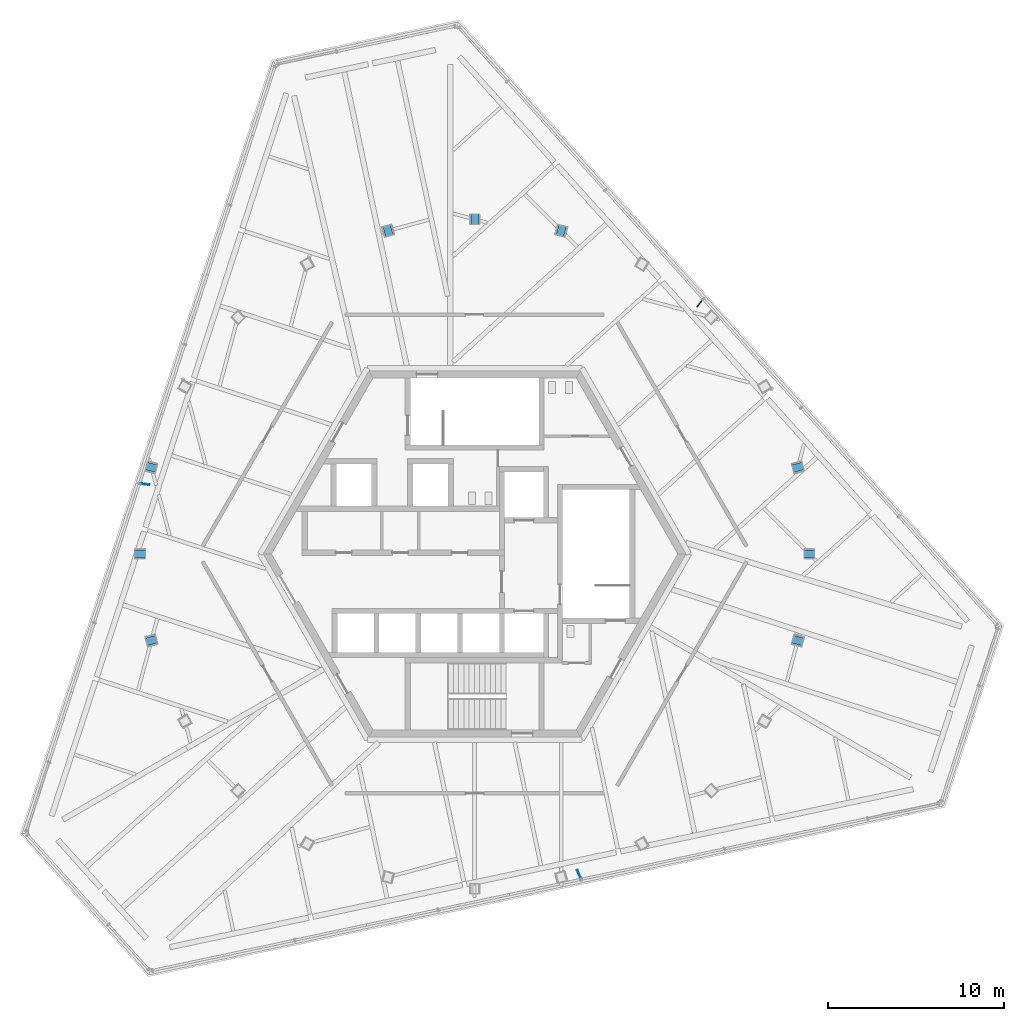
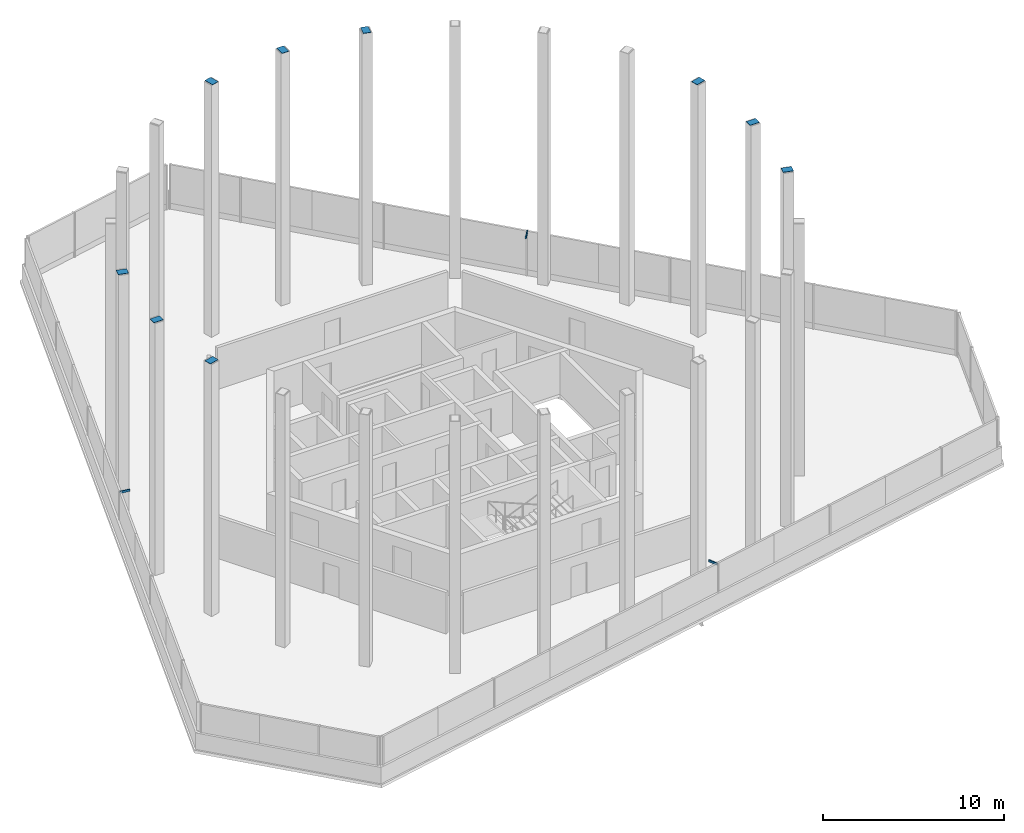
# One storey, part 9 of 11: 12 discrete accessories.
"""IFC4 building model written with IfcOpenShell, lengths in metres."""

import ifcopenshell
import ifcopenshell.guid

model = None  # the IFC model being written
_history = None  # IfcOwnerHistory: only IFC2X3 demands one
_inside = {}  # id of a spatial element -> (the spatial element, [elements in it])
_under = {}  # id of a project, library or spatial element -> (it, [spatial elements below it])
_declared = {}  # id of a project -> (the project, [libraries it declares])
_typed = {}  # id of a type object -> (the type object, [elements of that type])
_made_of = {}  # id of a material, layer set ... -> (it, [elements and type objects made of it])


def new_model(schema):
    """Start an empty IFC model of exactly this schema.

    Asked for "IFC4X3", IfcOpenShell would pick the latest addendum, in which some entities
    have other attributes; the version numbers below select the first issue.
    IFC2X3 requires an IfcOwnerHistory on every rooted entity: one is made here for all.
    """
    global model, _history
    if schema == "IFC4X3":
        model = ifcopenshell.file(schema_version=(4, 3, 0, 0))
    else:
        model = ifcopenshell.file(schema=schema)
    _inside.clear()
    _under.clear()
    _declared.clear()
    _typed.clear()
    _made_of.clear()
    _history = None
    if model.schema == "IFC2X3":
        org = make("IfcOrganization", Name="unknown")
        user = make(
            "IfcPersonAndOrganization",
            ThePerson=make("IfcPerson", FamilyName="unknown"),
            TheOrganization=org,
        )
        app = make(
            "IfcApplication",
            ApplicationDeveloper=org,
            Version="unknown",
            ApplicationFullName="unknown",
            ApplicationIdentifier="unknown",
        )
        _history = make(
            "IfcOwnerHistory",
            OwningUser=user,
            OwningApplication=app,
            ChangeAction="ADDED",
            CreationDate=0,
        )
    return model


def make(cls, **values):
    """One entity of the class cls with the attributes given. An attribute that is None is left unset."""
    return model.create_entity(
        cls, **{name: value for name, value in values.items() if value is not None}
    )


def rooted(cls, **values):
    """An entity with a GlobalId (a new one), such as an element, a storey or a relation."""
    return make(cls, GlobalId=ifcopenshell.guid.new(), OwnerHistory=_history, **values)


def si_unit(unit_type, name, prefix=None):
    """IfcSIUnit, for example si_unit("LENGTHUNIT", "METRE", prefix="MILLI")."""
    return make("IfcSIUnit", UnitType=unit_type, Prefix=prefix, Name=name)


def assignment(units):
    """IfcUnitAssignment: the units of a project."""
    return None if units is None else make("IfcUnitAssignment", Units=units)


def point(xyz):
    """IfcCartesianPoint."""
    return None if xyz is None else make("IfcCartesianPoint", Coordinates=xyz)


def direction(xyz):
    """IfcDirection."""
    return None if xyz is None else make("IfcDirection", DirectionRatios=xyz)


def frame(location, z_axis=None, x_axis=None):
    """IfcAxis2Placement3D, a coordinate frame: its origin and axes. An axis left out is left unset."""
    return make(
        "IfcAxis2Placement3D",
        Location=point(location),
        Axis=direction(z_axis),
        RefDirection=direction(x_axis),
    )


def frame_2d(location, x_axis=None):
    """IfcAxis2Placement2D, a coordinate frame in the plane: its origin and x axis."""
    return make(
        "IfcAxis2Placement2D", Location=point(location), RefDirection=direction(x_axis)
    )


def origin():
    """The frame at (0, 0, 0) with its axes left unset."""
    return frame((0.0, 0.0, 0.0))


def origin_2d():
    """The frame at (0, 0) in the plane with its x axis left unset."""
    return frame_2d((0.0, 0.0))


def place(relative_to, where):
    """IfcLocalPlacement: puts the frame where relative to a parent placement (None: the world)."""
    return make(
        "IfcLocalPlacement", PlacementRelTo=relative_to, RelativePlacement=where
    )


def context(
    kind, dimensions, precision=None, world=None, true_north=None, identifier=None
):
    """IfcGeometricRepresentationContext, for example the 3D "Model" context."""
    return make(
        "IfcGeometricRepresentationContext",
        ContextIdentifier=identifier,
        ContextType=kind,
        CoordinateSpaceDimension=dimensions,
        Precision=precision,
        WorldCoordinateSystem=world,
        TrueNorth=true_north,
    )


def subcontext(parent, identifier, kind, view, scale=None):
    """IfcGeometricRepresentationSubContext, for example "Body" below "Model"."""
    return make(
        "IfcGeometricRepresentationSubContext",
        ContextIdentifier=identifier,
        ContextType=kind,
        ParentContext=parent,
        TargetScale=scale,
        TargetView=view,
    )


def project(units=None, contexts=None):
    """IfcProject with its units and contexts."""
    return rooted(
        "IfcProject",
        Name="project",
        RepresentationContexts=contexts,
        UnitsInContext=assignment(units),
    )


def spatial(cls, under=None, at=None, **own):
    """A site, building, storey or space (cls), placed at a placement, below another one or the project."""
    s = rooted(cls, ObjectPlacement=at, **own)
    if under is not None:
        _under.setdefault(under.id(), (under, []))[1].append(s)
    return s


def profile(cls, at=None, kind="AREA", **sizes):
    """A parametric profile (cls). Its sizes go by their IFC names, for example OverallWidth=200.0."""
    return make(cls, ProfileType=kind, Position=at, **sizes)


def rectangle(**sizes):
    """IfcRectangleProfileDef."""
    return profile("IfcRectangleProfileDef", **sizes)


def extrude(swept, where, along, depth):
    """IfcExtrudedAreaSolid: the profile swept, set in the frame where, extruded along a direction by depth."""
    return make(
        "IfcExtrudedAreaSolid",
        SweptArea=swept,
        Position=where,
        ExtrudedDirection=direction(along),
        Depth=depth,
    )


def shape(context_of_items, identifier, shape_type, items):
    """IfcShapeRepresentation: the items that make up one representation, for example the "Body"."""
    return make(
        "IfcShapeRepresentation",
        ContextOfItems=context_of_items,
        RepresentationIdentifier=identifier,
        RepresentationType=shape_type,
        Items=items,
    )


def source(mapping_origin, context_of_items, identifier, shape_type, items):
    """IfcRepresentationMap: a shape defined once, which mapped items show again and again."""
    return make(
        "IfcRepresentationMap",
        MappingOrigin=mapping_origin,
        MappedRepresentation=shape(context_of_items, identifier, shape_type, items),
    )


def transform(
    local_origin,
    x_axis=None,
    y_axis=None,
    z_axis=None,
    scale=None,
    scale2=None,
    scale3=None,
    uniform=True,
):
    """IfcCartesianTransformationOperator3D, or its non-uniform kind. x_axis, y_axis, z_axis: its Axis1, 2, 3."""
    if uniform:
        return make(
            "IfcCartesianTransformationOperator3D",
            Axis1=direction(x_axis),
            Axis2=direction(y_axis),
            LocalOrigin=point(local_origin),
            Scale=scale,
            Axis3=direction(z_axis),
        )
    return make(
        "IfcCartesianTransformationOperator3DnonUniform",
        Axis1=direction(x_axis),
        Axis2=direction(y_axis),
        LocalOrigin=point(local_origin),
        Scale=scale,
        Axis3=direction(z_axis),
        Scale2=scale2,
        Scale3=scale3,
    )


def mapped(mapping_source, mapping_target):
    """IfcMappedItem: shows the shape of a source again, moved by a transform."""
    return make(
        "IfcMappedItem", MappingSource=mapping_source, MappingTarget=mapping_target
    )


def material(Name=None, Category=None):
    """IfcMaterial."""
    return make("IfcMaterial", Name=Name, Category=Category)


def made_of(thing, what):
    """Note that an element or type object is made of a material, layer set ...; save() writes the relation."""
    if what is not None:
        _made_of.setdefault(what.id(), (what, []))[1].append(thing)
    return thing


def element(
    cls,
    number,
    at=None,
    inside=None,
    cuts=None,
    type_object=None,
    material=None,
    context=None,
    identifier="Body",
    shape_type=None,
    held_by="IfcProductDefinitionShape",
    body=None,
    shapes=None,
    **own,
):
    """One element of the class cls, such as IfcWall. Its Tag is "e" and its number.

    at: its placement. inside: the storey or other place that contains it. cuts: it is an
    opening in that element (IfcRelVoidsElement). A single representation is given by context,
    identifier, shape_type and body (its items); several are given by shapes. held_by: the class
    of the entity that holds the representations. save() writes the other relations.
    """
    e = rooted(cls, Tag="e%d" % number, ObjectPlacement=at, **own)
    if body is not None:
        shapes = [shape(context, identifier, shape_type, body)]
    if shapes is not None:
        e.Representation = make(held_by, Representations=shapes)
    if inside is not None:
        _inside.setdefault(inside.id(), (inside, []))[1].append(e)
    if cuts is not None:
        rooted(
            "IfcRelVoidsElement", RelatingBuildingElement=cuts, RelatedOpeningElement=e
        )
    if type_object is not None:
        _typed.setdefault(type_object.id(), (type_object, []))[1].append(e)
    return made_of(e, material)


def aggregate(whole, parts):
    """IfcRelAggregates: a whole, such as a stair, and the parts it consists of."""
    return rooted("IfcRelAggregates", RelatingObject=whole, RelatedObjects=parts)


def save(model, path):
    """Write the relations noted so far, then the file.

    IfcRelAggregates (storeys below a building ...), IfcRelContainedInSpatialStructure (elements
    in a storey), IfcRelDefinesByType, IfcRelAssociatesMaterial and IfcRelDeclares: one each for
    every whole, place, type object, material and project.
    """
    for whole, parts in _under.values():
        aggregate(whole, parts)
    for where, things in _inside.values():
        rooted(
            "IfcRelContainedInSpatialStructure",
            RelatedElements=things,
            RelatingStructure=where,
        )
    for kind, things in _typed.values():
        rooted("IfcRelDefinesByType", RelatedObjects=things, RelatingType=kind)
    for what, things in _made_of.values():
        rooted("IfcRelAssociatesMaterial", RelatedObjects=things, RelatingMaterial=what)
    for by, libraries in _declared.values():
        rooted("IfcRelDeclares", RelatingContext=by, RelatedDefinitions=libraries)
    model.write(path)


model = new_model("IFC4")

# Units and contexts
model_context = context("Model", 3, precision=1e-05, world=origin(), true_north=direction((0.0, 1.0)))
body_context = subcontext(model_context, "Body", "Model", "MODEL_VIEW")
ifc_project = project(units=[si_unit("LENGTHUNIT", "METRE"), si_unit("AREAUNIT", "SQUARE_METRE"), si_unit("VOLUMEUNIT", "CUBIC_METRE"), si_unit("PLANEANGLEUNIT", "RADIAN"), si_unit("MASSUNIT", "GRAM", prefix="KILO")], contexts=[model_context])

# Site, building, storey
site_placement = place(None, origin())
site = spatial("IfcSite", under=ifc_project, at=site_placement, CompositionType="ELEMENT")
building_placement = place(site_placement, origin())
building = spatial("IfcBuilding", under=site, at=building_placement, Name="Triune Harvest Tower", CompositionType="ELEMENT")
storey_placement = place(building_placement, frame((0.0, 0.0, 296.699951171875)))
storey = spatial("IfcBuildingStorey", under=building, at=storey_placement, Name="L78", CompositionType="ELEMENT", Elevation=296.699951171875)

# Discrete accessories
ifc_material = material(Name="Steel ASTM A992 Gr 50", Category="steel")
shared_shape_1 = source(origin(), body_context, "Body", "SweptSolid", [
    extrude(rectangle(XDim=0.58740234375, YDim=0.050048828125, at=origin_2d()), origin(), (0.0, 0.0, 1.0), 0.14990234375),
])
for number, where, z_axis, x_axis, name in (
    (1, (12.80810546875, 14.26123046875, 2.85009765625), (0.0, 0.0, 1.0), (-0.608769736952, -0.793346965313, 0.0), "Mullion head bracket CP-F1"),
    (2, (-18.754638671875, 3.961181640625, 2.85009765625), (0.0, 0.0, 1.0), (0.99144531699, -0.130522731424, 0.0), "Mullion head bracket CP-F3"),
    (3, (5.946533203125, -18.22265625, 2.85009765625), (0.0, 0.0, 1.0), (-0.382685044838, 0.923878864601, 0.0), "Mullion head bracket CP-F5"),
):
    element("IfcDiscreteAccessory", number, at=place(storey_placement, frame(where, z_axis=z_axis, x_axis=x_axis)), inside=storey, material=ifc_material, Name=name, ObjectType="BRACKET", PredefinedType="USERDEFINED", context=body_context, shape_type="MappedRepresentation", body=[
        mapped(shared_shape_1, transform((0.0, 0.0, 0.0), scale=1.0)),
    ])
shared_shape_2 = source(origin(), body_context, "Body", "SweptSolid", [
    extrude(rectangle(XDim=0.60009765625, YDim=0.435302734375, at=origin_2d()), origin(), (0.0, 0.0, 1.0), 0.02490234375),
])
for number, where, z_axis, x_axis, name in (
    (4, (19.0, 0.0, 16.97509765625), (0.0, 0.0, 1.0), (1.0, 0.0, 0.0), "CROWN FRAME post 1 cap plate"),
    (5, (18.3525390625, 4.91748046875, 16.97509765625), (0.0, 0.0, 1.0), (0.965925826289, 0.258819045103, 0.0), "CROWN FRAME post 2 cap plate"),
    (6, (4.91748046875, 18.3525390625, 16.97509765625), (0.0, 0.0, 1.0), (0.258819045103, 0.965925826289, 0.0), "CROWN FRAME post 6 cap plate"),
    (7, (0.0, 19.0, 16.97509765625), (0.0, 0.0, 1.0), (0.0, 1.0, 0.0), "CROWN FRAME post 7 cap plate"),
    (8, (-4.91748046875, 18.3525390625, 16.97509765625), (0.0, 0.0, 1.0), (-0.258819045103, 0.965925826289, 0.0), "CROWN FRAME post 8 cap plate"),
    (9, (-18.3525390625, 4.91748046875, 16.97509765625), (0.0, 0.0, 1.0), (-0.965925826289, 0.258819045103, 0.0), "CROWN FRAME post 12 cap plate"),
    (10, (-19.0, 0.0, 16.97509765625), (0.0, 0.0, 1.0), (-1.0, 0.0, 0.0), "CROWN FRAME post 13 cap plate"),
    (11, (-18.3525390625, -4.91748046875, 16.97509765625), (0.0, 0.0, 1.0), (-0.965925826289, -0.258819045103, 0.0), "CROWN FRAME post 14 cap plate"),
    (12, (18.3525390625, -4.91748046875, 16.97509765625), (0.0, 0.0, 1.0), (0.965925826289, -0.258819045103, 0.0), "CROWN FRAME post 24 cap plate"),
):
    element("IfcDiscreteAccessory", number, at=place(storey_placement, frame(where, z_axis=z_axis, x_axis=x_axis)), inside=storey, material=ifc_material, Name=name, ObjectType="BRACKET", PredefinedType="USERDEFINED", context=body_context, shape_type="MappedRepresentation", body=[
        mapped(shared_shape_2, transform((0.0, 0.0, 0.0), scale=1.0)),
    ])

save(model, "model.ifc")
